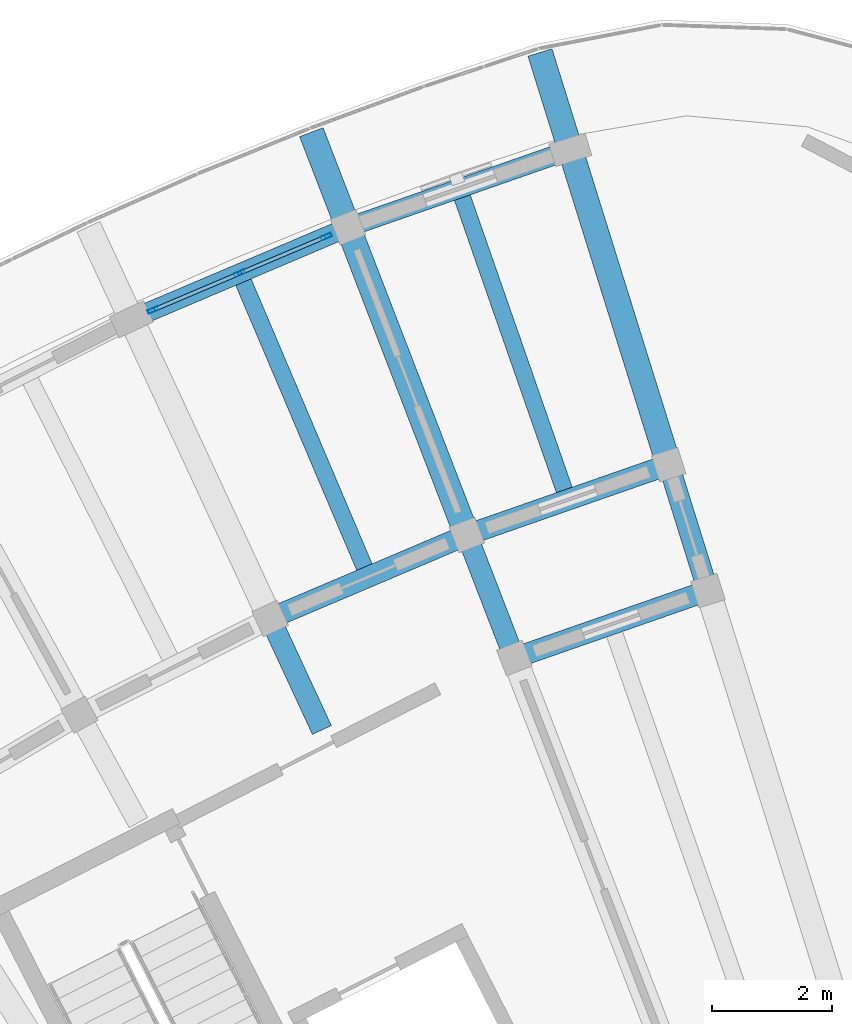
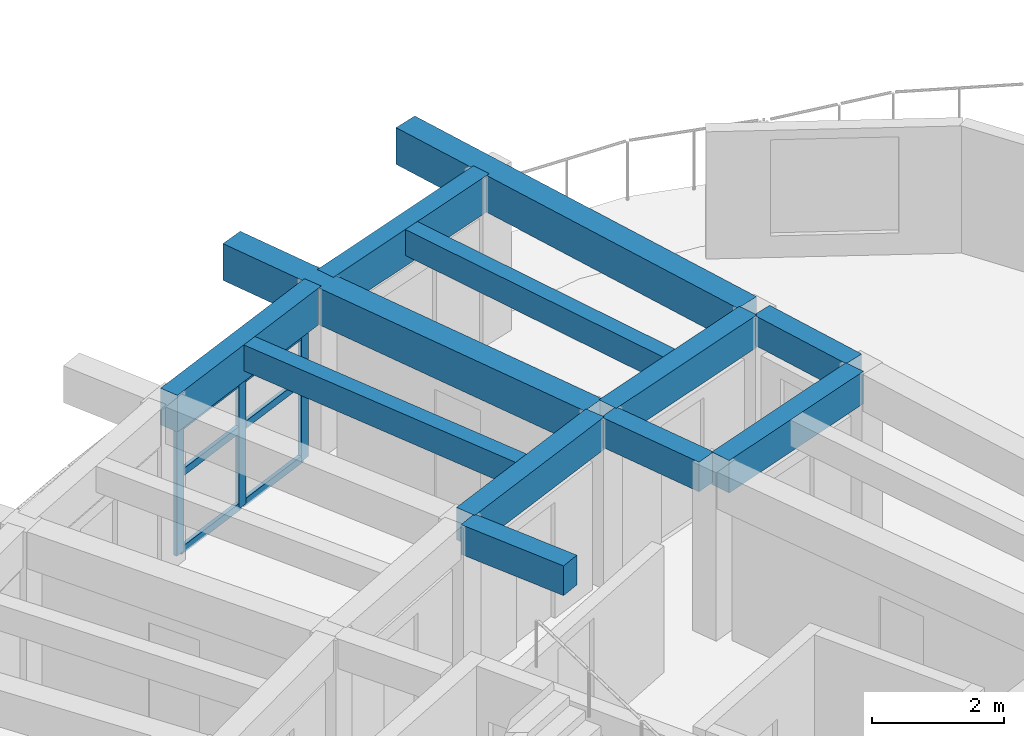
# One storey, part 6 of 19: 12 beams, 9 members, 1 element without a shape of its own.
"""IFC4 building model written with IfcOpenShell, lengths in metres."""

from ifc_helpers import new_model, si_unit, direction, frame, origin, origin_2d, place, context, subcontext, project, spatial, rectangle, hollow_rectangle, extrude, material, material_profile, profile_set, type_object, element, aggregate, save


model = new_model("IFC4")

# Units and contexts
model_context = context("Model", 3, precision=1e-05, world=origin(), true_north=direction((0.0, 1.0)))
body_context = subcontext(model_context, "Body", "Model", "MODEL_VIEW")
ifc_project = project(units=[si_unit("LENGTHUNIT", "METRE"), si_unit("AREAUNIT", "SQUARE_METRE"), si_unit("VOLUMEUNIT", "CUBIC_METRE"), si_unit("PLANEANGLEUNIT", "RADIAN"), si_unit("MASSUNIT", "GRAM", prefix="KILO")], contexts=[model_context])

# Site, building, storey
site_placement = place(None, origin())
site = spatial("IfcSite", under=ifc_project, at=site_placement, CompositionType="ELEMENT")
building_placement = place(site_placement, origin())
building = spatial("IfcBuilding", under=site, at=building_placement, Name="Tanwirah Colonnade Gardens", CompositionType="ELEMENT")
storey_placement = place(building_placement, frame((0.0, 0.0, 45.800048828125)))
storey = spatial("IfcBuildingStorey", under=building, at=storey_placement, Name="L13", CompositionType="ELEMENT", Elevation=45.800048828125)

# Beams
ifc_material_1 = material(Name="Precast concrete C40/50", Category="concrete")
ifc_material_profile_1 = material_profile(ifc_material_1, rectangle(XDim=0.35009765625, YDim=0.550048828125, at=origin_2d()), Name="PC-BM 350x550")
ifc_profile_set_1 = profile_set([ifc_material_profile_1], Name="Precast concrete C40/50")
beam_type_1 = type_object("IfcBeamType", Name="BM-PC350A", PredefinedType="BEAM", material=ifc_profile_set_1)
for number, where, z_axis, x_axis, name in (
    (1, (49.507568359375, 109.838623046875, 2.844970703125), (-0.297857918398, 0.954610213882, 0.0), (-0.954610213882, -0.297857918398, 0.0), "Block A L13 Corridor Tie Beam 3"),
    (2, (46.270751953125, 108.7099609375, 2.844970703125), (-0.360175656082, 0.932884503444, 0.0), (-0.932884503444, -0.360175656082, 0.0), "Block A L13 Corridor Tie Beam 4"),
    (3, (43.115234375, 107.37060546875, 2.844970703125), (-0.420858322681, 0.90712638162, 0.0), (-0.90712638162, -0.420858322681, 0.0), "Block A L13 Corridor Tie Beam 5"),
):
    element("IfcBeam", number, at=place(storey_placement, frame(where, z_axis=z_axis, x_axis=x_axis)), inside=storey, type_object=beam_type_1, Name=name, PredefinedType="BEAM", context=body_context, shape_type="SweptSolid", body=[
        extrude(rectangle(XDim=0.35009765625, YDim=0.550048828125, at=origin_2d()), origin(), (0.0, 0.0, 1.0), 1.89990234375),
    ])
ifc_material_profile_2 = material_profile(ifc_material_1, rectangle(XDim=0.35009765625, YDim=0.60009765625, at=origin_2d()), Name="PC-BM 350x600")
ifc_profile_set_2 = profile_set([ifc_material_profile_2], Name="Precast concrete C40/50")
beam_type_2 = type_object("IfcBeamType", Name="BM-PC350B", PredefinedType="BEAM", material=ifc_profile_set_2)
beam_placement = place(storey_placement, frame((49.41064453125, 109.64599609375, 2.820068359375), z_axis=(-0.944248304077, -0.329234172358, 0.0), x_axis=(0.329234172358, -0.944248304077, 0.0)))
element("IfcBeam", 4, at=beam_placement, inside=storey, type_object=beam_type_2, Name="Block A L13 Circumferential Beam 3-R1", PredefinedType="BEAM", context=body_context, shape_type="SweptSolid", body=[
    extrude(rectangle(XDim=0.35009765625, YDim=0.60009765625, at=origin_2d()), origin(), (0.0, 0.0, 1.0), 3.1181640625),
])
for number, where, z_axis, x_axis, name in (
    (5, (48.755126953125, 111.74609375, 2.820068359375), (-0.944231021702, -0.329283734272, 0.0), (0.329283734272, -0.944231021702, 0.0), "Block A L13 Circumferential Beam 3-R2"),
    (6, (45.394287109375, 110.563720703125, 2.820068359375), (-0.920513294115, -0.390711242938, 0.0), (0.390711242938, -0.920513294115, 0.0), "Block A L13 Circumferential Beam 4-R2"),
):
    element("IfcBeam", number, at=place(storey_placement, frame(where, z_axis=z_axis, x_axis=x_axis)), inside=storey, type_object=beam_type_2, Name=name, PredefinedType="BEAM", context=body_context, shape_type="SweptSolid", body=[
        extrude(rectangle(XDim=0.35009765625, YDim=0.60009765625, at=origin_2d()), origin(), (0.0, 0.0, 1.0), 3.262939453125),
    ])
ifc_material_2 = material(Name="Precast concrete C45/55", Category="concrete")
ifc_material_profile_3 = material_profile(ifc_material_2, rectangle(XDim=0.419921875, YDim=0.679931640625, at=origin_2d()), Name="PC-BM 420x680")
ifc_profile_set_3 = profile_set([ifc_material_profile_3], Name="Precast concrete C45/55")
beam_type_3 = type_object("IfcBeamType", Name="BM-PC420", PredefinedType="BEAM", material=ifc_profile_set_3)
for number, where, z_axis, x_axis, name in (
    (7, (48.852294921875, 111.938720703125, 2.780029296875), (-0.297957513373, 0.954579132511, 0.0), (-0.954579132511, -0.297957513373, 0.0), "Block A L13 Outer Radial Precast Girder 3"),
    (8, (45.478271484375, 110.76220703125, 2.780029296875), (-0.360150678391, 0.932894146651, 0.0), (-0.932894146651, -0.360150678391, 0.0), "Block A L13 Outer Radial Precast Girder 4"),
):
    element("IfcBeam", number, at=place(storey_placement, frame(where, z_axis=z_axis, x_axis=x_axis)), inside=storey, type_object=beam_type_3, Name=name, PredefinedType="BEAM", context=body_context, shape_type="SweptSolid", body=[
        extrude(rectangle(XDim=0.419921875, YDim=0.679931640625, at=origin_2d()), origin(), (0.0, 0.0, 1.0), 7.050048828125),
    ])

# Curtain wall, members
ifc_material_3 = material(Name="Bronze-anodised aluminium and solar-control low-E glass", Category="aluminium")
curtain_wall_type = type_object("IfcCurtainWallType", Name="CW-LOB", PredefinedType="NOTDEFINED", material=ifc_material_3)
curtain_wall_placement = place(storey_placement, origin())
curtain_wall = element("IfcCurtainWall", 9, at=curtain_wall_placement, inside=storey, type_object=curtain_wall_type, Name="Curtain Wall CW-A-L13-OUT-04", PredefinedType="NOTDEFINED")
ifc_material_4 = material(Name="Bronze-anodised aluminium", Category="aluminium")
ifc_material_profile_4 = material_profile(ifc_material_4, hollow_rectangle(XDim=0.06494140625, YDim=0.179931640625, WallThickness=0.00390625, at=origin_2d()), Name="CW-MUL 65x180x4")
ifc_profile_set_4 = profile_set([ifc_material_profile_4], Name="Bronze-anodised aluminium")
member_type_1 = type_object("IfcMemberType", Name="CWM-65x180", PredefinedType="MULLION", material=ifc_profile_set_4)
member_1_placement = place(storey_placement, frame((43.190185546875, 115.599853515625, 0.0), z_axis=(0.0, 0.0, 1.0), x_axis=(0.390729607022, -0.920505499276, 0.0)))
member_1 = element("IfcMember", 10, at=member_1_placement, type_object=member_type_1, Name="CW-LOB mullion 1", PredefinedType="MULLION", context=body_context, shape_type="SweptSolid", body=[
    extrude(hollow_rectangle(XDim=0.06494140625, YDim=0.179931640625, WallThickness=0.00390625, at=origin_2d()), origin(), (0.0, 0.0, 1.0), 2.35498046875),
])
member_2_placement = place(storey_placement, frame((41.74462890625, 114.986328125, 0.0), z_axis=(0.0, 0.0, 1.0), x_axis=(0.390729607022, -0.920505499276, 0.0)))
member_2 = element("IfcMember", 11, at=member_2_placement, type_object=member_type_1, Name="CW-LOB mullion 2", PredefinedType="MULLION", context=body_context, shape_type="SweptSolid", body=[
    extrude(hollow_rectangle(XDim=0.06494140625, YDim=0.179931640625, WallThickness=0.00390625, at=origin_2d()), origin(), (0.0, 0.0, 1.0), 2.35498046875),
])
member_3_placement = place(storey_placement, frame((40.299072265625, 114.372802734375, 0.0), z_axis=(0.0, 0.0, 1.0), x_axis=(0.390729607022, -0.920505499276, 0.0)))
member_3 = element("IfcMember", 12, at=member_3_placement, type_object=member_type_1, Name="CW-LOB mullion 3", PredefinedType="MULLION", context=body_context, shape_type="SweptSolid", body=[
    extrude(hollow_rectangle(XDim=0.06494140625, YDim=0.179931640625, WallThickness=0.00390625, at=origin_2d()), origin(), (0.0, 0.0, 1.0), 2.35498046875),
])
ifc_material_profile_5 = material_profile(ifc_material_4, hollow_rectangle(XDim=0.06494140625, YDim=0.135009765625, WallThickness=0.00390625, at=origin_2d()), Name="CW-TRN 65x135x4")
ifc_profile_set_5 = profile_set([ifc_material_profile_5], Name="Bronze-anodised aluminium")
member_type_2 = type_object("IfcMemberType", Name="CWT-65x135", PredefinedType="USERDEFINED", material=ifc_profile_set_5)
member_4_placement = place(storey_placement, frame((43.16015625, 115.587158203125, 0.032470703125), z_axis=(-0.920523463189, -0.390687283795, 0.0), x_axis=(0.390687283795, -0.920523463189, 0.0)))
member_4 = element("IfcMember", 13, at=member_4_placement, type_object=member_type_2, Name="CW-LOB transom 1.1", ObjectType="TRANSOM", PredefinedType="USERDEFINED", context=body_context, shape_type="SweptSolid", body=[
    extrude(hollow_rectangle(XDim=0.06494140625, YDim=0.135009765625, WallThickness=0.00390625, at=origin_2d()), origin(), (0.0, 0.0, 1.0), 1.50537109375),
])
member_5_placement = place(storey_placement, frame((43.16015625, 115.587158203125, 1.4599609375), z_axis=(-0.920523463189, -0.390687283795, 0.0), x_axis=(0.390687283795, -0.920523463189, 0.0)))
member_5 = element("IfcMember", 14, at=member_5_placement, type_object=member_type_2, Name="CW-LOB transom 1.2", ObjectType="TRANSOM", PredefinedType="USERDEFINED", context=body_context, shape_type="SweptSolid", body=[
    extrude(hollow_rectangle(XDim=0.06494140625, YDim=0.135009765625, WallThickness=0.00390625, at=origin_2d()), origin(), (0.0, 0.0, 1.0), 1.50537109375),
])
member_6_placement = place(storey_placement, frame((43.16015625, 115.587158203125, 2.322509765625), z_axis=(-0.920523463189, -0.390687283795, 0.0), x_axis=(0.390687283795, -0.920523463189, 0.0)))
member_6 = element("IfcMember", 15, at=member_6_placement, type_object=member_type_2, Name="CW-LOB transom 1.3", ObjectType="TRANSOM", PredefinedType="USERDEFINED", context=body_context, shape_type="SweptSolid", body=[
    extrude(hollow_rectangle(XDim=0.06494140625, YDim=0.135009765625, WallThickness=0.00390625, at=origin_2d()), origin(), (0.0, 0.0, 1.0), 1.50537109375),
])
member_7_placement = place(storey_placement, frame((41.714599609375, 114.9736328125, 0.032470703125), z_axis=(-0.920498703323, -0.39074561697, 0.0), x_axis=(0.39074561697, -0.920498703323, 0.0)))
member_7 = element("IfcMember", 16, at=member_7_placement, type_object=member_type_2, Name="CW-LOB transom 2.1", ObjectType="TRANSOM", PredefinedType="USERDEFINED", context=body_context, shape_type="SweptSolid", body=[
    extrude(hollow_rectangle(XDim=0.06494140625, YDim=0.135009765625, WallThickness=0.00390625, at=origin_2d()), origin(), (0.0, 0.0, 1.0), 1.505126953125),
])
member_8_placement = place(storey_placement, frame((41.714599609375, 114.9736328125, 1.4599609375), z_axis=(-0.920498703323, -0.39074561697, 0.0), x_axis=(0.39074561697, -0.920498703323, 0.0)))
member_8 = element("IfcMember", 17, at=member_8_placement, type_object=member_type_2, Name="CW-LOB transom 2.2", ObjectType="TRANSOM", PredefinedType="USERDEFINED", context=body_context, shape_type="SweptSolid", body=[
    extrude(hollow_rectangle(XDim=0.06494140625, YDim=0.135009765625, WallThickness=0.00390625, at=origin_2d()), origin(), (0.0, 0.0, 1.0), 1.505126953125),
])
member_9_placement = place(storey_placement, frame((41.714599609375, 114.9736328125, 2.322509765625), z_axis=(-0.920498703323, -0.39074561697, 0.0), x_axis=(0.39074561697, -0.920498703323, 0.0)))
member_9 = element("IfcMember", 18, at=member_9_placement, type_object=member_type_2, Name="CW-LOB transom 2.3", ObjectType="TRANSOM", PredefinedType="USERDEFINED", context=body_context, shape_type="SweptSolid", body=[
    extrude(hollow_rectangle(XDim=0.06494140625, YDim=0.135009765625, WallThickness=0.00390625, at=origin_2d()), origin(), (0.0, 0.0, 1.0), 1.505126953125),
])
aggregate(curtain_wall, [member_1, member_2, member_3, member_4, member_5, member_6, member_7, member_8, member_9])

# Beams
ifc_material_profile_6 = material_profile(ifc_material_1, rectangle(XDim=0.280029296875, YDim=0.47998046875, at=origin_2d()), Name="PC-JST 280x480")
ifc_profile_set_6 = profile_set([ifc_material_profile_6], Name="Precast concrete C40/50")
beam_type_4 = type_object("IfcBeamType", Name="JST-PC280", PredefinedType="JOIST", material=ifc_profile_set_6)
for number, where, z_axis, x_axis, name in (
    (19, (47.16552734375, 111.349853515625, 2.8798828125), (-0.3292586038, 0.944239785131, 0.0), (-0.944239785131, -0.3292586038, 0.0), "Block A L13 Precast Floor Joist 3"),
    (20, (43.833984375, 110.063720703125, 2.8798828125), (-0.390723870106, 0.92050793442, 0.0), (-0.92050793442, -0.390723870106, 0.0), "Block A L13 Precast Floor Joist 4"),
):
    element("IfcBeam", number, at=place(storey_placement, frame(where, z_axis=z_axis, x_axis=x_axis)), inside=storey, type_object=beam_type_4, Name=name, PredefinedType="JOIST", context=body_context, shape_type="SweptSolid", body=[
        extrude(rectangle(XDim=0.280029296875, YDim=0.47998046875, at=origin_2d()), origin(), (0.0, 0.0, 1.0), 5.260009765625),
    ])
ifc_material_profile_7 = material_profile(ifc_material_2, rectangle(XDim=0.320068359375, YDim=0.679931640625, at=origin_2d()), Name="PC-SP 320x680")
ifc_profile_set_7 = profile_set([ifc_material_profile_7], Name="Precast concrete C45/55")
beam_type_5 = type_object("IfcBeamType", Name="SP-PC320", PredefinedType="SPANDREL", material=ifc_profile_set_7)
for number, where, z_axis, x_axis, name in (
    (21, (47.11669921875, 116.996337890625, 2.780029296875), (-0.944236700093, -0.329267450863, 0.0), (0.329267450863, -0.944236700093, 0.0), "Block A L13 Circumferential Beam 3-R3"),
    (22, (43.413330078125, 115.694580078125, 2.780029296875), (-0.920494456807, -0.390755620545, 0.0), (0.390755620545, -0.920494456807, 0.0), "Block A L13 Circumferential Beam 4-R3"),
):
    element("IfcBeam", number, at=place(storey_placement, frame(where, z_axis=z_axis, x_axis=x_axis)), inside=storey, type_object=beam_type_5, Name=name, PredefinedType="SPANDREL", context=body_context, shape_type="SweptSolid", body=[
        extrude(rectangle(XDim=0.320068359375, YDim=0.679931640625, at=origin_2d()), origin(), (0.0, 0.0, 1.0), 3.625732421875),
    ])

save(model, "model.ifc")
